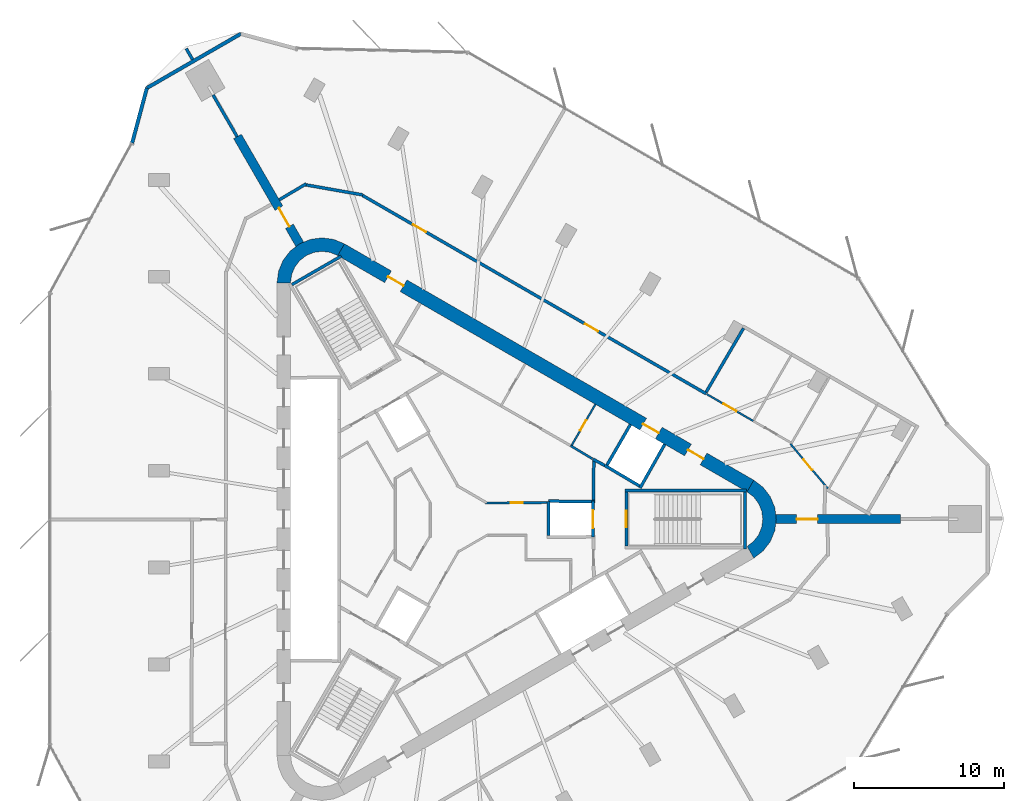
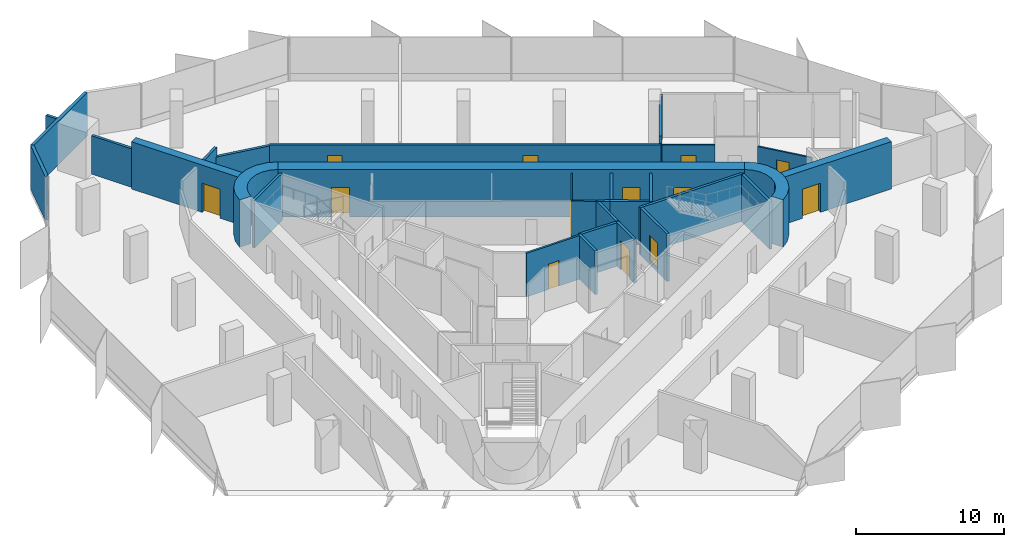
# One storey, part 10 of 12: 30 walls, 13 doors, 13 openings.
"""IFC4 building model written with IfcOpenShell, lengths in metres."""

from ifc_helpers import new_model, si_unit, direction, frame, frame_2d, origin, place, context, subcontext, project, spatial, polyline, rectangle, outline, extrude, material, layer, layer_set, type_object, element, fill, save


model = new_model("IFC4")

# Units and contexts
model_context = context("Model", 3, precision=1e-05, world=origin(), true_north=direction((0.0, 1.0)))
body_context = subcontext(model_context, "Body", "Model", "MODEL_VIEW")
ifc_project = project(units=[si_unit("LENGTHUNIT", "METRE"), si_unit("AREAUNIT", "SQUARE_METRE"), si_unit("VOLUMEUNIT", "CUBIC_METRE"), si_unit("PLANEANGLEUNIT", "RADIAN"), si_unit("MASSUNIT", "GRAM", prefix="KILO")], contexts=[model_context])

# Site, building, storey
site_placement = place(None, origin())
site = spatial("IfcSite", under=ifc_project, at=site_placement, CompositionType="ELEMENT")
building_placement = place(site_placement, origin())
building = spatial("IfcBuilding", under=site, at=building_placement, Name="Tanit Gate Tower", CompositionType="ELEMENT")
storey_placement = place(building_placement, frame((0.0, 0.0, 333.800048828125)))
storey = spatial("IfcBuildingStorey", under=building, at=storey_placement, Name="L75", CompositionType="ELEMENT", Elevation=333.800048828125)

# Wall, opening, door
ifc_material_1 = material(Name="Concrete C40/50", Category="concrete")
ifc_layer_1 = layer(ifc_material_1, 0.60009765625)
ifc_layer_set_1 = layer_set([ifc_layer_1], Name="BUTTRESS FIN 600 C40/50")
wall_type_1 = type_object("IfcWallType", Name="BUTTRESS FIN 600 C40/50", PredefinedType="SHEAR", material=ifc_layer_set_1)
wall_1_placement = place(storey_placement, frame((21.14990234375, 0.0, 0.0), z_axis=(0.0, 0.0, 1.0), x_axis=(1.0, 0.0, 0.0)))
wall_1 = element("IfcWall", 1, at=wall_1_placement, inside=storey, type_object=wall_type_1, Name="BUTTRESS FIN", PredefinedType="SHEAR", context=body_context, shape_type="SweptSolid", body=[
    extrude(rectangle(XDim=8.32080078125, YDim=0.60009765625, at=frame_2d((4.160400390625, 0.0))), origin(), (0.0, 0.0, 1.0), 3.89990234375),
])
opening_1_placement = place(wall_1_placement, frame((1.39990234375, 0.0, 0.0)))
opening_1 = element("IfcOpeningElement", 2, at=opening_1_placement, cuts=wall_1, Name="Opening P14-S21-F-E-1", PredefinedType="OPENING", context=body_context, shape_type="SweptSolid", body=[
    extrude(rectangle(XDim=1.39990234375, YDim=2.39990234375, at=frame_2d((0.699951171875, 1.199951171875))), frame((0.0, 0.31005859375, 0.0), z_axis=(0.0, -1.0, 0.0), x_axis=(1.0, 0.0, 0.0)), (0.0, 0.0, 1.0), 0.6201171875),
])
ifc_material_2 = material(Name="Timber door leaf", Category="wood")
door_type_1 = type_object("IfcDoorType", Name="INT-DOOR-FIN-PAIR-1400", OperationType="NOTDEFINED", PredefinedType="NOTDEFINED", material=ifc_material_2)
door_1_placement = place(opening_1_placement, origin())
door_1 = element("IfcDoor", 3, at=door_1_placement, inside=storey, type_object=door_type_1, Name="Door P14-S21-F-E-1", OperationType="DOUBLE_DOOR_SINGLE_SWING", OverallHeight=2.39990234375, OverallWidth=1.39990234375, PredefinedType="NOTDEFINED", context=body_context, shape_type="SweptSolid", body=[
    extrude(rectangle(XDim=1.39990234375, YDim=2.39990234375, at=frame_2d((0.699951171875, 1.199951171875))), frame((0.0, 0.02490234375, 0.0), z_axis=(0.0, -1.0, 0.0), x_axis=(1.0, 0.0, 0.0)), (0.0, 0.0, 1.0), 0.050048828125),
])
fill(opening_1, door_1)

wall_2_placement = place(storey_placement, frame((-10.574951171875, 18.31640625, 0.0), z_axis=(0.0, 0.0, 1.0), x_axis=(-0.499998447599, 0.866026300061, 0.0)))
wall_2 = element("IfcWall", 4, at=wall_2_placement, inside=storey, type_object=wall_type_1, Name="BUTTRESS FIN", PredefinedType="SHEAR", context=body_context, shape_type="SweptSolid", body=[
    extrude(rectangle(XDim=8.32080078125, YDim=0.60009765625, at=frame_2d((4.160400390625, 0.0))), origin(), (0.0, 0.0, 1.0), 3.89990234375),
])
opening_2_placement = place(wall_2_placement, frame((1.39990234375, 0.0, 0.0)))
opening_2 = element("IfcOpeningElement", 5, at=opening_2_placement, cuts=wall_2, Name="Opening P14-S21-F-NW-1", PredefinedType="OPENING", context=body_context, shape_type="SweptSolid", body=[
    extrude(rectangle(XDim=1.39990234375, YDim=2.39990234375, at=frame_2d((0.699951171875, 1.199951171875))), frame((0.0, 0.31005859375, 0.0), z_axis=(0.0, -1.0, 0.0), x_axis=(1.0, 0.0, 0.0)), (0.0, 0.0, 1.0), 0.6201171875),
])
door_2_placement = place(opening_2_placement, origin())
door_2 = element("IfcDoor", 6, at=door_2_placement, inside=storey, type_object=door_type_1, Name="Door P14-S21-F-NW-1", OperationType="DOUBLE_DOOR_SINGLE_SWING", OverallHeight=2.39990234375, OverallWidth=1.39990234375, PredefinedType="NOTDEFINED", context=body_context, shape_type="SweptSolid", body=[
    extrude(rectangle(XDim=1.39990234375, YDim=2.39990234375, at=frame_2d((0.699951171875, 1.199951171875))), frame((0.0, 0.02490234375, 0.0), z_axis=(0.0, -1.0, 0.0), x_axis=(1.0, 0.0, 0.0)), (0.0, 0.0, 1.0), 0.050048828125),
])
fill(opening_2, door_2)

# Wall, openings, doors
ifc_material_3 = material(Name="Concrete C40/50", Category="concrete")
ifc_layer_2 = layer(ifc_material_3, 0.89990234375)
ifc_layer_set_2 = layer_set([ifc_layer_2], Name="CORE WALL 900 C40/50")
wall_type_2 = type_object("IfcWallType", Name="CORE WALL 900 C40/50", PredefinedType="SHEAR", material=ifc_layer_set_2)
wall_3_placement = place(storey_placement, frame((19.47509765625, 2.20849609375, 0.0), z_axis=(0.0, 0.0, 1.0), x_axis=(-0.866028369851, 0.499994862586, 0.0)))
wall_3 = element("IfcWall", 7, at=wall_3_placement, inside=storey, type_object=wall_type_2, Name="CORE WALL", PredefinedType="SHEAR", context=body_context, shape_type="SweptSolid", body=[
    extrude(rectangle(XDim=31.523193359375, YDim=0.89990234375, at=frame_2d((15.76171875, 0.0))), origin(), (0.0, 0.0, 1.0), 3.89990234375),
])
opening_3_placement = place(wall_3_placement, frame((7.0615234375, 0.0, 0.0)))
opening_3 = element("IfcOpeningElement", 8, at=opening_3_placement, cuts=wall_3, Name="Opening LDHL8-S21", PredefinedType="OPENING", context=body_context, shape_type="SweptSolid", body=[
    extrude(rectangle(XDim=1.199951171875, YDim=2.39990234375, at=frame_2d((0.60009765625, 1.199951171875))), frame((0.0, 0.4599609375, 0.0), z_axis=(0.0, -1.0, 0.0), x_axis=(1.0, 0.0, 0.0)), (0.0, 0.0, 1.0), 0.919921875),
])
opening_4_placement = place(wall_3_placement, frame((3.611572265625, 0.0, 0.0)))
opening_4 = element("IfcOpeningElement", 9, at=opening_4_placement, cuts=wall_3, Name="Opening F12-S21-FL1", PredefinedType="OPENING", context=body_context, shape_type="SweptSolid", body=[
    extrude(rectangle(XDim=1.199951171875, YDim=2.39990234375, at=frame_2d((0.60009765625, 1.199951171875))), frame((0.0, 0.4599609375, 0.0), z_axis=(0.0, -1.0, 0.0), x_axis=(1.0, 0.0, 0.0)), (0.0, 0.0, 1.0), 0.919921875),
])
opening_5_placement = place(wall_3_placement, frame((26.711669921875, 0.0, 0.0)))
opening_5 = element("IfcOpeningElement", 10, at=opening_5_placement, cuts=wall_3, Name="Opening F12-S21-S2", PredefinedType="OPENING", context=body_context, shape_type="SweptSolid", body=[
    extrude(rectangle(XDim=1.199951171875, YDim=2.39990234375, at=frame_2d((0.60009765625, 1.199951171875))), frame((0.0, 0.4599609375, 0.0), z_axis=(0.0, -1.0, 0.0), x_axis=(1.0, 0.0, 0.0)), (0.0, 0.0, 1.0), 0.919921875),
])
ifc_material_4 = material(Name="Fire-rated steel door leaf", Category="steel")
door_type_2 = type_object("IfcDoorType", Name="INT-DOOR-FIRE-LOBBY-1200", OperationType="NOTDEFINED", PredefinedType="USERDEFINED", material=ifc_material_4)
door_3_placement = place(opening_4_placement, origin())
door_3 = element("IfcDoor", 11, at=door_3_placement, inside=storey, type_object=door_type_2, Name="Door F12-S21-FL1", ObjectType="FIRE DOOR", OperationType="SINGLE_SWING_LEFT", OverallHeight=2.39990234375, OverallWidth=1.199951171875, PredefinedType="USERDEFINED", context=body_context, shape_type="SweptSolid", body=[
    extrude(rectangle(XDim=1.199951171875, YDim=2.39990234375, at=frame_2d((0.60009765625, 1.199951171875))), frame((0.0, 0.02490234375, 0.0), z_axis=(0.0, -1.0, 0.0), x_axis=(1.0, 0.0, 0.0)), (0.0, 0.0, 1.0), 0.050048828125),
])
fill(opening_4, door_3)
door_4_placement = place(opening_5_placement, origin())
door_4 = element("IfcDoor", 12, at=door_4_placement, inside=storey, type_object=door_type_2, Name="Door F12-S21-S2", ObjectType="FIRE DOOR", OperationType="SINGLE_SWING_RIGHT", OverallHeight=2.39990234375, OverallWidth=1.199951171875, PredefinedType="USERDEFINED", context=body_context, shape_type="SweptSolid", body=[
    extrude(rectangle(XDim=1.199951171875, YDim=2.39990234375, at=frame_2d((0.60009765625, 1.199951171875))), frame((0.0, 0.02490234375, 0.0), z_axis=(0.0, -1.0, 0.0), x_axis=(1.0, 0.0, 0.0)), (0.0, 0.0, 1.0), 0.050048828125),
])
fill(opening_5, door_4)
ifc_material_5 = material(Name="Stainless steel sliding door leaf", Category="steel")
door_type_3 = type_object("IfcDoorType", Name="INT-DOOR-LANDING-1200", OperationType="NOTDEFINED", PredefinedType="USERDEFINED", material=ifc_material_5)
door_5_placement = place(opening_3_placement, origin())
door_5 = element("IfcDoor", 13, at=door_5_placement, inside=storey, type_object=door_type_3, Name="Door LDHL8-S21", ObjectType="LANDING DOOR", OperationType="SLIDING_TO_LEFT", OverallHeight=2.39990234375, OverallWidth=1.199951171875, PredefinedType="USERDEFINED", context=body_context, shape_type="SweptSolid", body=[
    extrude(rectangle(XDim=1.199951171875, YDim=2.39990234375, at=frame_2d((0.60009765625, 1.199951171875))), frame((0.0, 0.02490234375, 0.0), z_axis=(0.0, -1.0, 0.0), x_axis=(1.0, 0.0, 0.0)), (0.0, 0.0, 1.0), 0.050048828125),
])
fill(opening_3, door_5)

# Walls
wall_4_placement = place(storey_placement, origin())
element("IfcWall", 14, at=wall_4_placement, inside=storey, type_object=wall_type_2, Name="CORE WALL CORNER", PredefinedType="SHEAR", context=body_context, shape_type="SweptSolid", body=[
    extrude(outline(polyline([(-7.60009765625, 18.359619140625), (-8.323486328125, 18.659423828125), (-9.10009765625, 18.76171875), (-9.87646484375, 18.659423828125), (-10.60009765625, 18.359619140625), (-11.22119140625, 17.883056640625), (-11.697998046875, 17.26171875), (-11.997802734375, 16.5380859375), (-12.10009765625, 15.76171875), (-11.199951171875, 15.76171875), (-11.12841796875, 16.30517578125), (-10.918701171875, 16.811767578125), (-10.5849609375, 17.24658203125), (-10.14990234375, 17.580322265625), (-9.6435546875, 17.7900390625), (-9.10009765625, 17.86181640625), (-8.556396484375, 17.7900390625), (-8.050048828125, 17.580322265625), (-7.60009765625, 18.359619140625)])), origin(), (0.0, 0.0, 1.0), 3.89990234375),
])
wall_5_placement = place(storey_placement, origin())
element("IfcWall", 15, at=wall_5_placement, inside=storey, type_object=wall_type_2, Name="CORE WALL CORNER", PredefinedType="SHEAR", context=body_context, shape_type="SweptSolid", body=[
    extrude(outline(polyline([(19.699951171875, -2.59814453125), (20.3212890625, -2.121337890625), (20.798095703125, -1.5), (21.097900390625, -0.776611328125), (21.199951171875, 0.0), (21.097900390625, 0.776611328125), (20.798095703125, 1.5), (20.3212890625, 2.121337890625), (19.699951171875, 2.59814453125), (19.25, 1.818603515625), (19.684814453125, 1.48486328125), (20.018798828125, 1.050048828125), (20.228515625, 0.54345703125), (20.300048828125, 0.0), (20.228515625, -0.54345703125), (20.018798828125, -1.050048828125), (19.684814453125, -1.48486328125), (19.25, -1.818603515625), (19.699951171875, -2.59814453125)])), origin(), (0.0, 0.0, 1.0), 3.89990234375),
])
ifc_material_6 = material(Name="Concrete C30/37 with bronze anodised aluminium cladding", Category="concrete")
ifc_layer_3 = layer(ifc_material_6, 0.239990234375)
ifc_layer_set_3 = layer_set([ifc_layer_3], Name="Facade wall bronze clad 240")
wall_type_3 = type_object("IfcWallType", Name="Facade wall bronze clad 240", PredefinedType="SOLIDWALL", material=ifc_layer_set_3)
wall_6_placement = place(storey_placement, frame((-14.509521484375, 32.375244140625, 0.0), z_axis=(0.0, 0.0, 1.0), x_axis=(-0.866019457076, -0.500010299859, 0.0)))
element("IfcWall", 16, at=wall_6_placement, inside=storey, type_object=wall_type_3, Name="Bronze-clad facade wall L75 NW.arc2", PredefinedType="SOLIDWALL", context=body_context, shape_type="SweptSolid", body=[
    extrude(rectangle(XDim=7.243896484375, YDim=0.239990234375, at=frame_2d((3.6220703125, 0.0))), origin(), (0.0, 0.0, 1.0), 3.599853515625),
])
wall_7_placement = place(storey_placement, frame((-20.782958984375, 28.753173828125, 0.0), z_axis=(0.0, 0.0, 1.0), x_axis=(-0.258843233206, -0.965919344782, 0.0)))
element("IfcWall", 17, at=wall_7_placement, inside=storey, type_object=wall_type_3, Name="Bronze-clad facade wall L75 NW.arc3", PredefinedType="SOLIDWALL", context=body_context, shape_type="SweptSolid", body=[
    extrude(rectangle(XDim=3.79638671875, YDim=0.239990234375, at=frame_2d((1.898193359375, 0.0))), origin(), (0.0, 0.0, 1.0), 3.599853515625),
])
ifc_material_7 = material(Name="Fire-rated gypsum board partition")
ifc_layer_4 = layer(ifc_material_7, 0.199951171875)
ifc_layer_set_4 = layer_set([ifc_layer_4], Name="INT-WALL-COMPARTMENT")
wall_type_4 = type_object("IfcWallType", Name="INT-WALL-COMPARTMENT", PredefinedType="PARTITIONING", material=ifc_layer_set_4)
wall_8_placement = place(storey_placement, frame((8.97412109375, 3.998779296875, 0.0), z_axis=(0.0, 0.0, 1.0), x_axis=(0.880917147855, -0.473270513147, 0.0)))
element("IfcWall", 18, at=wall_8_placement, inside=storey, type_object=wall_type_4, Name="Wall Compartment W045", PredefinedType="PARTITIONING", context=body_context, shape_type="SweptSolid", body=[
    extrude(rectangle(XDim=0.8779296875, YDim=0.199951171875, at=frame_2d((0.43896484375, 0.0))), origin(), (0.0, 0.0, 1.0), 3.599853515625),
])
wall_9_placement = place(storey_placement, frame((9.0009765625, 1.27001953125, 0.0), z_axis=(0.0, 0.0, 1.0), x_axis=(0.010751103362, 0.999942205218, 0.0)))
element("IfcWall", 19, at=wall_9_placement, inside=storey, type_object=wall_type_4, Name="Wall Compartment W059", PredefinedType="PARTITIONING", context=body_context, shape_type="SweptSolid", body=[
    extrude(rectangle(XDim=2.72509765625, YDim=0.199951171875, at=frame_2d((1.362548828125, 0.0))), origin(), (0.0, 0.0, 1.0), 3.599853515625),
])
wall_10_placement = place(storey_placement, frame((-10.154541015625, 22.3671875, 0.0), z_axis=(0.0, 0.0, 1.0), x_axis=(-0.859343009577, -0.511399640097, 0.0)))
element("IfcWall", 20, at=wall_10_placement, inside=storey, type_object=wall_type_4, Name="Wall Compartment W094", PredefinedType="PARTITIONING", context=body_context, shape_type="SweptSolid", body=[
    extrude(rectangle(XDim=2.089599609375, YDim=0.199951171875, at=frame_2d((1.044921875, 0.0))), origin(), (0.0, 0.0, 1.0), 3.599853515625),
])
wall_11_placement = place(storey_placement, frame((-6.389404296875, 21.626220703125, 0.0), z_axis=(0.0, 0.0, 1.0), x_axis=(-0.984802578286, 0.173677522442, 0.0)))
element("IfcWall", 21, at=wall_11_placement, inside=storey, type_object=wall_type_4, Name="Wall Compartment W095", PredefinedType="PARTITIONING", context=body_context, shape_type="SweptSolid", body=[
    extrude(rectangle(XDim=3.87548828125, YDim=0.199951171875, at=frame_2d((1.937744140625, 0.0))), origin(), (0.0, 0.0, 1.0), 2.8798828125),
])

# Wall, openings, doors
wall_12_placement = place(storey_placement, frame((16.52294921875, 8.3583984375, 0.0), z_axis=(0.0, 0.0, 1.0), x_axis=(-0.866025545866, 0.499999753908, 0.0)))
wall_12 = element("IfcWall", 22, at=wall_12_placement, inside=storey, type_object=wall_type_4, Name="Wall Compartment W097", PredefinedType="PARTITIONING", context=body_context, shape_type="SweptSolid", body=[
    extrude(rectangle(XDim=26.470703125, YDim=0.199951171875, at=frame_2d((13.2353515625, 0.0))), origin(), (0.0, 0.0, 1.0), 2.969970703125),
])
opening_6_placement = place(wall_12_placement, frame((21.567626953125, 0.0, 0.0)))
opening_6 = element("IfcOpeningElement", 23, at=opening_6_placement, cuts=wall_12, Name="Opening F10-S21-28", PredefinedType="OPENING", context=body_context, shape_type="SweptSolid", body=[
    extrude(rectangle(XDim=1.0, YDim=2.10009765625, at=frame_2d((0.5, 1.050048828125))), frame((0.0, 0.10986328125, 0.0), z_axis=(0.0, -1.0, 0.0), x_axis=(1.0, 0.0, 0.0)), (0.0, 0.0, 1.0), 0.219970703125),
])
opening_7_placement = place(wall_12_placement, frame((8.33251953125, 0.0, 0.0)))
opening_7 = element("IfcOpeningElement", 24, at=opening_7_placement, cuts=wall_12, Name="Opening F10-S21-29", PredefinedType="OPENING", context=body_context, shape_type="SweptSolid", body=[
    extrude(rectangle(XDim=1.0, YDim=2.10009765625, at=frame_2d((0.5, 1.050048828125))), frame((0.0, 0.10986328125, 0.0), z_axis=(0.0, -1.0, 0.0), x_axis=(1.0, 0.0, 0.0)), (0.0, 0.0, 1.0), 0.219970703125),
])
ifc_material_8 = material(Name="Fire-rated steel door leaf", Category="steel")
door_type_4 = type_object("IfcDoorType", Name="INT-DOOR-FIRE-1000", OperationType="NOTDEFINED", PredefinedType="USERDEFINED", material=ifc_material_8)
door_6_placement = place(opening_6_placement, origin())
door_6 = element("IfcDoor", 25, at=door_6_placement, inside=storey, type_object=door_type_4, Name="Door F10-S21-28", ObjectType="FIRE DOOR", OperationType="SINGLE_SWING_LEFT", OverallHeight=2.10009765625, OverallWidth=1.0, PredefinedType="USERDEFINED", context=body_context, shape_type="SweptSolid", body=[
    extrude(rectangle(XDim=1.0, YDim=2.10009765625, at=frame_2d((0.5, 1.050048828125))), frame((0.0, 0.02490234375, 0.0), z_axis=(0.0, -1.0, 0.0), x_axis=(1.0, 0.0, 0.0)), (0.0, 0.0, 1.0), 0.050048828125),
])
fill(opening_6, door_6)
door_7_placement = place(opening_7_placement, origin())
door_7 = element("IfcDoor", 26, at=door_7_placement, inside=storey, type_object=door_type_4, Name="Door F10-S21-29", ObjectType="FIRE DOOR", OperationType="SINGLE_SWING_LEFT", OverallHeight=2.10009765625, OverallWidth=1.0, PredefinedType="USERDEFINED", context=body_context, shape_type="SweptSolid", body=[
    extrude(rectangle(XDim=1.0, YDim=2.10009765625, at=frame_2d((0.5, 1.050048828125))), frame((0.0, 0.02490234375, 0.0), z_axis=(0.0, -1.0, 0.0), x_axis=(1.0, 0.0, 0.0)), (0.0, 0.0, 1.0), 0.050048828125),
])
fill(opening_7, door_7)

# Walls
wall_13_placement = place(storey_placement, frame((-14.761474609375, 25.50732421875, 0.0), z_axis=(0.0, 0.0, 1.0), x_axis=(-0.499967746641, 0.866044024469, 0.0)))
element("IfcWall", 27, at=wall_13_placement, inside=storey, type_object=wall_type_4, Name="Wall Compartment W113", PredefinedType="PARTITIONING", context=body_context, shape_type="SweptSolid", body=[
    extrude(rectangle(XDim=3.216552734375, YDim=0.199951171875, at=frame_2d((1.6083984375, 0.0))), origin(), (0.0, 0.0, 1.0), 3.169921875),
])
wall_14_placement = place(storey_placement, frame((-17.732177734375, 30.653076171875, 0.0), z_axis=(0.0, 0.0, 1.0), x_axis=(-0.499973348067, 0.866040790738, 0.0)))
element("IfcWall", 28, at=wall_14_placement, inside=storey, type_object=wall_type_4, Name="Wall Compartment W112", PredefinedType="PARTITIONING", context=body_context, shape_type="SweptSolid", body=[
    extrude(rectangle(XDim=0.84228515625, YDim=0.199951171875, at=frame_2d((0.421142578125, 0.0))), origin(), (0.0, 0.0, 1.0), 3.599853515625),
])
wall_15_placement = place(storey_placement, frame((16.521484375, 8.474609375, 0.0), z_axis=(0.0, 0.0, 1.0), x_axis=(0.505019065689, 0.863108187477, 0.0)))
element("IfcWall", 29, at=wall_15_placement, inside=storey, type_object=wall_type_4, Name="Wall Compartment W118", PredefinedType="PARTITIONING", context=body_context, shape_type="SweptSolid", body=[
    extrude(rectangle(XDim=4.929931640625, YDim=0.199951171875, at=frame_2d((2.46484375, 0.0))), origin(), (0.0, 0.0, 1.0), 3.599853515625),
])

# Wall, opening, door
ifc_material_9 = material(Name="Gypsum board partition")
ifc_layer_5 = layer(ifc_material_9, 0.1201171875)
ifc_layer_set_5 = layer_set([ifc_layer_5], Name="INT-WALL-PARTITION")
wall_type_5 = type_object("IfcWallType", Name="INT-WALL-PARTITION", PredefinedType="PARTITIONING", material=ifc_layer_set_5)
wall_16_placement = place(storey_placement, frame((7.50830078125, 4.844970703125, 0.0), z_axis=(0.0, 0.0, 1.0), x_axis=(0.500017246033, 0.866015446554, 0.0)))
wall_16 = element("IfcWall", 30, at=wall_16_placement, inside=storey, type_object=wall_type_5, Name="Wall Partition W044", PredefinedType="PARTITIONING", context=body_context, shape_type="SweptSolid", body=[
    extrude(rectangle(XDim=3.25, YDim=0.1201171875, at=frame_2d((1.625, 0.0))), origin(), (0.0, 0.0, 1.0), 3.599853515625),
])
opening_8_placement = place(wall_16_placement, frame((1.22509765625, 0.0, 0.0)))
opening_8 = element("IfcOpeningElement", 31, at=opening_8_placement, cuts=wall_16, Name="Opening R08-S21-14", PredefinedType="OPENING", context=body_context, shape_type="SweptSolid", body=[
    extrude(rectangle(XDim=0.800048828125, YDim=2.10009765625, at=frame_2d((0.39990234375, 1.050048828125))), frame((0.0, 0.070068359375, 0.0), z_axis=(0.0, -1.0, 0.0), x_axis=(1.0, 0.0, 0.0)), (0.0, 0.0, 1.0), 0.14013671875),
])
ifc_material_10 = material(Name="Timber door leaf", Category="wood")
door_type_5 = type_object("IfcDoorType", Name="INT-DOOR-RISER-800", OperationType="NOTDEFINED", PredefinedType="USERDEFINED", material=ifc_material_10)
door_8_placement = place(opening_8_placement, origin())
door_8 = element("IfcDoor", 32, at=door_8_placement, inside=storey, type_object=door_type_5, Name="Door R08-S21-14", ObjectType="FIRE DOOR", OperationType="SINGLE_SWING_LEFT", OverallHeight=2.10009765625, OverallWidth=0.800048828125, PredefinedType="USERDEFINED", context=body_context, shape_type="SweptSolid", body=[
    extrude(rectangle(XDim=0.800048828125, YDim=2.10009765625, at=frame_2d((0.39990234375, 1.050048828125))), frame((0.0, 0.02490234375, 0.0), z_axis=(0.0, -1.0, 0.0), x_axis=(1.0, 0.0, 0.0)), (0.0, 0.0, 1.0), 0.050048828125),
])
fill(opening_8, door_8)

wall_17_placement = place(storey_placement, frame((19.6640625, 6.544921875, 0.0), z_axis=(0.0, 0.0, 1.0), x_axis=(-0.866048453834, 0.499960074017, 0.0)))
wall_17 = element("IfcWall", 33, at=wall_17_placement, inside=storey, type_object=wall_type_5, Name="Wall Partition W099", PredefinedType="PARTITIONING", context=body_context, shape_type="SweptSolid", body=[
    extrude(rectangle(XDim=3.587158203125, YDim=0.1201171875, at=frame_2d((1.79345703125, 0.0))), origin(), (0.0, 0.0, 1.0), 2.969970703125),
])
opening_9_placement = place(wall_17_placement, frame((1.293701171875, 0.0, 0.0)))
opening_9 = element("IfcOpeningElement", 34, at=opening_9_placement, cuts=wall_17, Name="Opening D10-S21-22", PredefinedType="OPENING", context=body_context, shape_type="SweptSolid", body=[
    extrude(rectangle(XDim=1.0, YDim=2.10009765625, at=frame_2d((0.5, 1.050048828125))), frame((0.0, 0.070068359375, 0.0), z_axis=(0.0, -1.0, 0.0), x_axis=(1.0, 0.0, 0.0)), (0.0, 0.0, 1.0), 0.14013671875),
])
ifc_material_11 = material(Name="Timber door leaf", Category="wood")
door_type_6 = type_object("IfcDoorType", Name="INT-DOOR-SINGLE-1000", OperationType="NOTDEFINED", PredefinedType="NOTDEFINED", material=ifc_material_11)
door_9_placement = place(opening_9_placement, origin())
door_9 = element("IfcDoor", 35, at=door_9_placement, inside=storey, type_object=door_type_6, Name="Door D10-S21-22", OperationType="SINGLE_SWING_RIGHT", OverallHeight=2.10009765625, OverallWidth=1.0, PredefinedType="NOTDEFINED", context=body_context, shape_type="SweptSolid", body=[
    extrude(rectangle(XDim=1.0, YDim=2.10009765625, at=frame_2d((0.5, 1.050048828125))), frame((0.0, 0.02490234375, 0.0), z_axis=(0.0, -1.0, 0.0), x_axis=(1.0, 0.0, 0.0)), (0.0, 0.0, 1.0), 0.050048828125),
])
fill(opening_9, door_9)

wall_18_placement = place(storey_placement, frame((24.639892578125, 2.042724609375, 0.0), z_axis=(0.0, 0.0, 1.0), x_axis=(-0.642784930138, 0.766046691519, 0.0)))
wall_18 = element("IfcWall", 36, at=wall_18_placement, inside=storey, type_object=wall_type_5, Name="Wall Partition W101", PredefinedType="PARTITIONING", context=body_context, shape_type="SweptSolid", body=[
    extrude(rectangle(XDim=3.882080078125, YDim=0.1201171875, at=frame_2d((1.94091796875, 0.0))), origin(), (0.0, 0.0, 1.0), 2.8798828125),
])
opening_10_placement = place(wall_18_placement, frame((1.62060546875, 0.0, 0.0)))
opening_10 = element("IfcOpeningElement", 37, at=opening_10_placement, cuts=wall_18, Name="Opening D09-S21-24", PredefinedType="OPENING", context=body_context, shape_type="SweptSolid", body=[
    extrude(rectangle(XDim=0.89990234375, YDim=2.10009765625, at=frame_2d((0.449951171875, 1.050048828125))), frame((0.0, 0.070068359375, 0.0), z_axis=(0.0, -1.0, 0.0), x_axis=(1.0, 0.0, 0.0)), (0.0, 0.0, 1.0), 0.14013671875),
])
ifc_material_12 = material(Name="Timber door leaf", Category="wood")
door_type_7 = type_object("IfcDoorType", Name="INT-DOOR-SINGLE-900", OperationType="NOTDEFINED", PredefinedType="NOTDEFINED", material=ifc_material_12)
door_10_placement = place(opening_10_placement, origin())
door_10 = element("IfcDoor", 38, at=door_10_placement, inside=storey, type_object=door_type_7, Name="Door D09-S21-24", OperationType="SINGLE_SWING_LEFT", OverallHeight=2.10009765625, OverallWidth=0.89990234375, PredefinedType="NOTDEFINED", context=body_context, shape_type="SweptSolid", body=[
    extrude(rectangle(XDim=0.89990234375, YDim=2.10009765625, at=frame_2d((0.449951171875, 1.050048828125))), frame((0.0, 0.02490234375, 0.0), z_axis=(0.0, -1.0, 0.0), x_axis=(1.0, 0.0, 0.0)), (0.0, 0.0, 1.0), 0.050048828125),
])
fill(opening_10, door_10)

# Wall
ifc_material_13 = material(Name="Fire-rated gypsum board partition")
ifc_layer_6 = layer(ifc_material_13, 0.14990234375)
ifc_layer_set_6 = layer_set([ifc_layer_6], Name="INT-WALL-RISER")
wall_type_6 = type_object("IfcWallType", Name="INT-WALL-RISER", PredefinedType="PLUMBINGWALL", material=ifc_layer_set_6)
wall_19_placement = place(storey_placement, frame((8.9306640625, 4.026123046875, 0.0), z_axis=(0.0, 0.0, 1.0), x_axis=(-0.857531586833, 0.514431314738, 0.0)))
element("IfcWall", 39, at=wall_19_placement, inside=storey, type_object=wall_type_6, Name="Wall Riser W046", PredefinedType="PLUMBINGWALL", context=body_context, shape_type="SweptSolid", body=[
    extrude(rectangle(XDim=1.67138671875, YDim=0.14990234375, at=frame_2d((0.835693359375, 0.0))), origin(), (0.0, 0.0, 1.0), 3.599853515625),
])

# Wall, opening, door
wall_20_placement = place(storey_placement, frame((1.777587890625, 1.073974609375, 0.0), z_axis=(0.0, 0.0, 1.0), x_axis=(0.999973898196, 0.007225159347, 0.0)))
wall_20 = element("IfcWall", 40, at=wall_20_placement, inside=storey, type_object=wall_type_6, Name="Wall Riser W065", PredefinedType="PLUMBINGWALL", context=body_context, shape_type="SweptSolid", body=[
    extrude(rectangle(XDim=4.122314453125, YDim=0.14990234375, at=frame_2d((2.06103515625, 0.0))), origin(), (0.0, 0.0, 1.0), 3.599853515625),
])
opening_11_placement = place(wall_20_placement, frame((1.72509765625, 0.0, 0.0)))
opening_11 = element("IfcOpeningElement", 41, at=opening_11_placement, cuts=wall_20, Name="Opening R08-S21-10", PredefinedType="OPENING", context=body_context, shape_type="SweptSolid", body=[
    extrude(rectangle(XDim=0.800048828125, YDim=2.10009765625, at=frame_2d((0.39990234375, 1.050048828125))), frame((0.0, 0.0849609375, 0.0), z_axis=(0.0, -1.0, 0.0), x_axis=(1.0, 0.0, 0.0)), (0.0, 0.0, 1.0), 0.169921875),
])
door_11_placement = place(opening_11_placement, origin())
door_11 = element("IfcDoor", 42, at=door_11_placement, inside=storey, type_object=door_type_5, Name="Door R08-S21-10", ObjectType="FIRE DOOR", OperationType="SINGLE_SWING_LEFT", OverallHeight=2.10009765625, OverallWidth=0.800048828125, PredefinedType="USERDEFINED", context=body_context, shape_type="SweptSolid", body=[
    extrude(rectangle(XDim=0.800048828125, YDim=2.10009765625, at=frame_2d((0.39990234375, 1.050048828125))), frame((0.0, 0.02490234375, 0.0), z_axis=(0.0, -1.0, 0.0), x_axis=(1.0, 0.0, 0.0)), (0.0, 0.0, 1.0), 0.050048828125),
])
fill(opening_11, door_11)

# Walls
ifc_material_14 = material(Name="Gypsum shaft wall system")
ifc_layer_7 = layer(ifc_material_14, 0.199951171875)
ifc_layer_set_7 = layer_set([ifc_layer_7], Name="INT-WALL-SHAFT")
wall_type_7 = type_object("IfcWallType", Name="INT-WALL-SHAFT", PredefinedType="PLUMBINGWALL", material=ifc_layer_set_7)
wall_21_placement = place(storey_placement, frame((9.8466796875, 3.494873046875, 0.0), z_axis=(0.0, 0.0, 1.0), x_axis=(0.499984717929, 0.866034226713, 0.0)))
element("IfcWall", 43, at=wall_21_placement, inside=storey, type_object=wall_type_7, Name="Wall Shaft W012", PredefinedType="PLUMBINGWALL", context=body_context, shape_type="SweptSolid", body=[
    extrude(rectangle(XDim=3.25, YDim=0.199951171875, at=frame_2d((1.625, 0.0))), origin(), (0.0, 0.0, 1.0), 3.599853515625),
])
wall_22_placement = place(storey_placement, frame((12.10986328125, 2.07275390625, 0.0), z_axis=(0.0, 0.0, 1.0), x_axis=(0.49196600604, 0.870614408852, 0.0)))
element("IfcWall", 44, at=wall_22_placement, inside=storey, type_object=wall_type_7, Name="Wall Shaft W013", PredefinedType="PLUMBINGWALL", context=body_context, shape_type="SweptSolid", body=[
    extrude(rectangle(XDim=3.35009765625, YDim=0.199951171875, at=frame_2d((1.675048828125, 0.0))), origin(), (0.0, 0.0, 1.0), 3.599853515625),
])
wall_23_placement = place(storey_placement, frame((12.072998046875, 2.2109375, 0.0), z_axis=(0.0, 0.0, 1.0), x_axis=(-0.860414880418, 0.509594185166, 0.0)))
element("IfcWall", 45, at=wall_23_placement, inside=storey, type_object=wall_type_7, Name="Wall Shaft W014", PredefinedType="PLUMBINGWALL", context=body_context, shape_type="SweptSolid", body=[
    extrude(rectangle(XDim=2.7001953125, YDim=0.199951171875, at=frame_2d((1.35009765625, 0.0))), origin(), (0.0, 0.0, 1.0), 3.599853515625),
])

# Wall, opening, door
wall_24_placement = place(storey_placement, frame((8.969970703125, 1.199951171875, 0.0), z_axis=(0.0, 0.0, 1.0), x_axis=(0.0, -1.0, 0.0)))
wall_24 = element("IfcWall", 46, at=wall_24_placement, inside=storey, type_object=wall_type_7, Name="Wall Shaft W024", PredefinedType="PLUMBINGWALL", context=body_context, shape_type="SweptSolid", body=[
    extrude(rectangle(XDim=2.39990234375, YDim=0.199951171875, at=frame_2d((1.199951171875, 0.0))), origin(), (0.0, 0.0, 1.0), 3.599853515625),
])
opening_12_placement = place(wall_24_placement, frame((0.60009765625, 0.0, 0.0)))
opening_12 = element("IfcOpeningElement", 47, at=opening_12_placement, cuts=wall_24, Name="Opening LDFL1-L75", PredefinedType="OPENING", context=body_context, shape_type="SweptSolid", body=[
    extrude(rectangle(XDim=1.199951171875, YDim=2.39990234375, at=frame_2d((0.60009765625, 1.199951171875))), frame((0.0, 0.10986328125, 0.0), z_axis=(0.0, -1.0, 0.0), x_axis=(1.0, 0.0, 0.0)), (0.0, 0.0, 1.0), 0.219970703125),
])
door_12_placement = place(opening_12_placement, origin())
door_12 = element("IfcDoor", 48, at=door_12_placement, inside=storey, type_object=door_type_3, Name="Door LDFL1-L75", ObjectType="LANDING DOOR", OperationType="SLIDING_TO_LEFT", OverallHeight=2.39990234375, OverallWidth=1.199951171875, PredefinedType="USERDEFINED", context=body_context, shape_type="SweptSolid", body=[
    extrude(rectangle(XDim=1.199951171875, YDim=2.39990234375, at=frame_2d((0.60009765625, 1.199951171875))), frame((0.0, 0.02490234375, 0.0), z_axis=(0.0, -1.0, 0.0), x_axis=(1.0, 0.0, 0.0)), (0.0, 0.0, 1.0), 0.050048828125),
])
fill(opening_12, door_12)

# Walls
wall_25_placement = place(storey_placement, frame((6.0, 1.199951171875, 0.0), z_axis=(0.0, 0.0, 1.0), x_axis=(0.999949988, -0.010001074852, 0.0)))
element("IfcWall", 49, at=wall_25_placement, inside=storey, type_object=wall_type_7, Name="Wall Shaft W025", PredefinedType="PLUMBINGWALL", context=body_context, shape_type="SweptSolid", body=[
    extrude(rectangle(XDim=3.100341796875, YDim=0.199951171875, at=frame_2d((1.55029296875, 0.0))), origin(), (0.0, 0.0, 1.0), 3.599853515625),
])
wall_26_placement = place(storey_placement, frame((6.0, -1.10009765625, 0.0), z_axis=(0.0, 0.0, 1.0), x_axis=(0.0, 1.0, 0.0)))
element("IfcWall", 50, at=wall_26_placement, inside=storey, type_object=wall_type_7, Name="Wall Shaft W027", PredefinedType="PLUMBINGWALL", context=body_context, shape_type="SweptSolid", body=[
    extrude(rectangle(XDim=2.279541015625, YDim=0.199951171875, at=frame_2d((1.1396484375, 0.0))), origin(), (0.0, 0.0, 1.0), 3.599853515625),
])
ifc_material_15 = material(Name="Concrete C40/50", Category="concrete")
ifc_layer_8 = layer(ifc_material_15, 0.199951171875)
ifc_layer_set_8 = layer_set([ifc_layer_8], Name="INT-WALL-STAIR")
wall_type_8 = type_object("IfcWallType", Name="INT-WALL-STAIR", PredefinedType="SHEAR", material=ifc_layer_set_8)
wall_27_placement = place(storey_placement, frame((19.199951171875, 1.89990234375, -0.300048828125), z_axis=(0.0, 0.0, 1.0), x_axis=(-1.0, 0.0, 0.0)))
element("IfcWall", 51, at=wall_27_placement, inside=storey, type_object=wall_type_8, Name="Wall Stair W020", PredefinedType="SHEAR", context=body_context, shape_type="SweptSolid", body=[
    extrude(rectangle(XDim=8.099853515625, YDim=0.199951171875, at=frame_2d((4.0498046875, 0.0))), origin(), (0.0, 0.0, 1.0), 3.89990234375),
])
wall_28_placement = place(storey_placement, frame((19.10009765625, -2.0, -0.300048828125), z_axis=(0.0, 0.0, 1.0), x_axis=(0.0, 1.0, 0.0)))
element("IfcWall", 52, at=wall_28_placement, inside=storey, type_object=wall_type_8, Name="Wall Stair W021", PredefinedType="SHEAR", context=body_context, shape_type="SweptSolid", body=[
    extrude(rectangle(XDim=3.800048828125, YDim=0.199951171875, at=frame_2d((1.89990234375, 0.0))), origin(), (0.0, 0.0, 1.0), 3.89990234375),
])

# Wall, opening, door
wall_29_placement = place(storey_placement, frame((11.199951171875, -1.800048828125, -0.300048828125), z_axis=(0.0, 0.0, 1.0), x_axis=(0.0, 1.0, 0.0)))
wall_29 = element("IfcWall", 53, at=wall_29_placement, inside=storey, type_object=wall_type_8, Name="Wall Stair W023", PredefinedType="SHEAR", context=body_context, shape_type="SweptSolid", body=[
    extrude(rectangle(XDim=3.60009765625, YDim=0.199951171875, at=frame_2d((1.800048828125, 0.0))), origin(), (0.0, 0.0, 1.0), 3.89990234375),
])
opening_13_placement = place(wall_29_placement, frame((1.25, 0.0, 0.300048828125)))
opening_13 = element("IfcOpeningElement", 54, at=opening_13_placement, cuts=wall_29, Name="Opening S11-S21-01", PredefinedType="OPENING", context=body_context, shape_type="SweptSolid", body=[
    extrude(rectangle(XDim=1.10009765625, YDim=2.10009765625, at=frame_2d((0.550048828125, 1.050048828125))), frame((0.0, 0.10986328125, 0.0), z_axis=(0.0, -1.0, 0.0), x_axis=(1.0, 0.0, 0.0)), (0.0, 0.0, 1.0), 0.219970703125),
])
ifc_material_16 = material(Name="Timber door leaf", Category="wood")
door_type_8 = type_object("IfcDoorType", Name="INT-DOOR-STAIR-1100", OperationType="NOTDEFINED", PredefinedType="USERDEFINED", material=ifc_material_16)
door_13_placement = place(opening_13_placement, origin())
door_13 = element("IfcDoor", 55, at=door_13_placement, inside=storey, type_object=door_type_8, Name="Door S11-S21-01", ObjectType="FIRE DOOR", OperationType="SINGLE_SWING_RIGHT", OverallHeight=2.10009765625, OverallWidth=1.10009765625, PredefinedType="USERDEFINED", context=body_context, shape_type="SweptSolid", body=[
    extrude(rectangle(XDim=1.10009765625, YDim=2.10009765625, at=frame_2d((0.550048828125, 1.050048828125))), frame((0.0, 0.02490234375, 0.0), z_axis=(0.0, -1.0, 0.0), x_axis=(1.0, 0.0, 0.0)), (0.0, 0.0, 1.0), 0.050048828125),
])
fill(opening_13, door_13)

# Wall
wall_30_placement = place(storey_placement, frame((-7.81787109375, 17.541015625, -0.300048828125), z_axis=(0.0, 0.0, 1.0), x_axis=(-0.866044365799, -0.499967155389, 0.0)))
element("IfcWall", 56, at=wall_30_placement, inside=storey, type_object=wall_type_8, Name="Wall Stair W029", PredefinedType="SHEAR", context=body_context, shape_type="SweptSolid", body=[
    extrude(rectangle(XDim=3.800048828125, YDim=0.199951171875, at=frame_2d((1.89990234375, 0.0))), origin(), (0.0, 0.0, 1.0), 3.89990234375),
])

save(model, "model.ifc")
